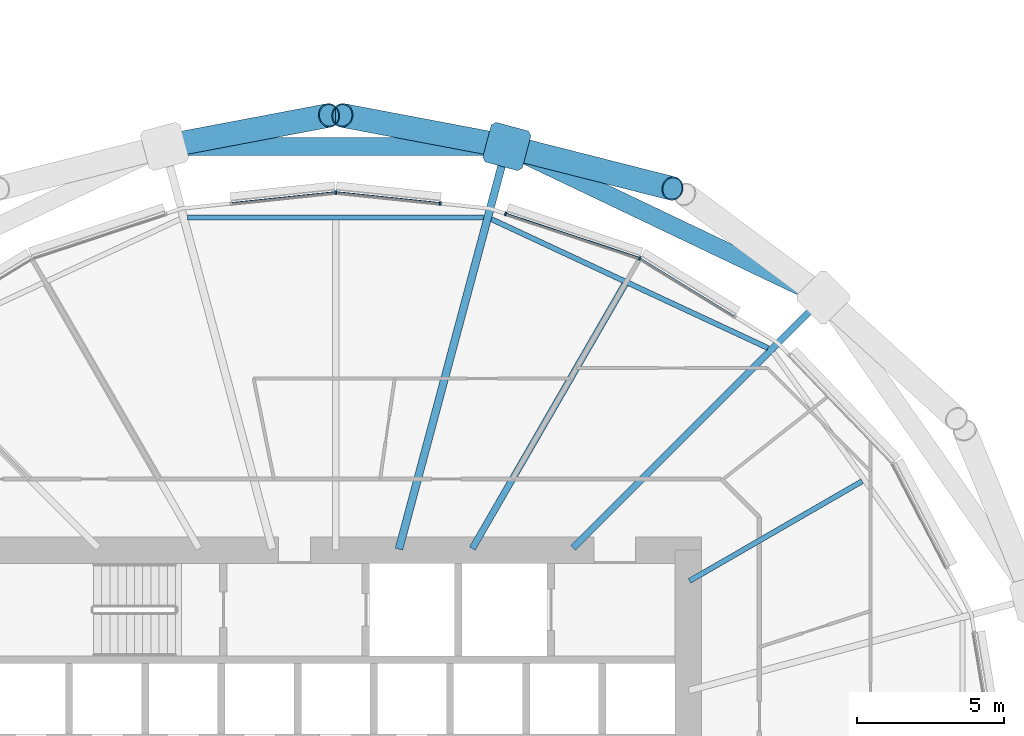
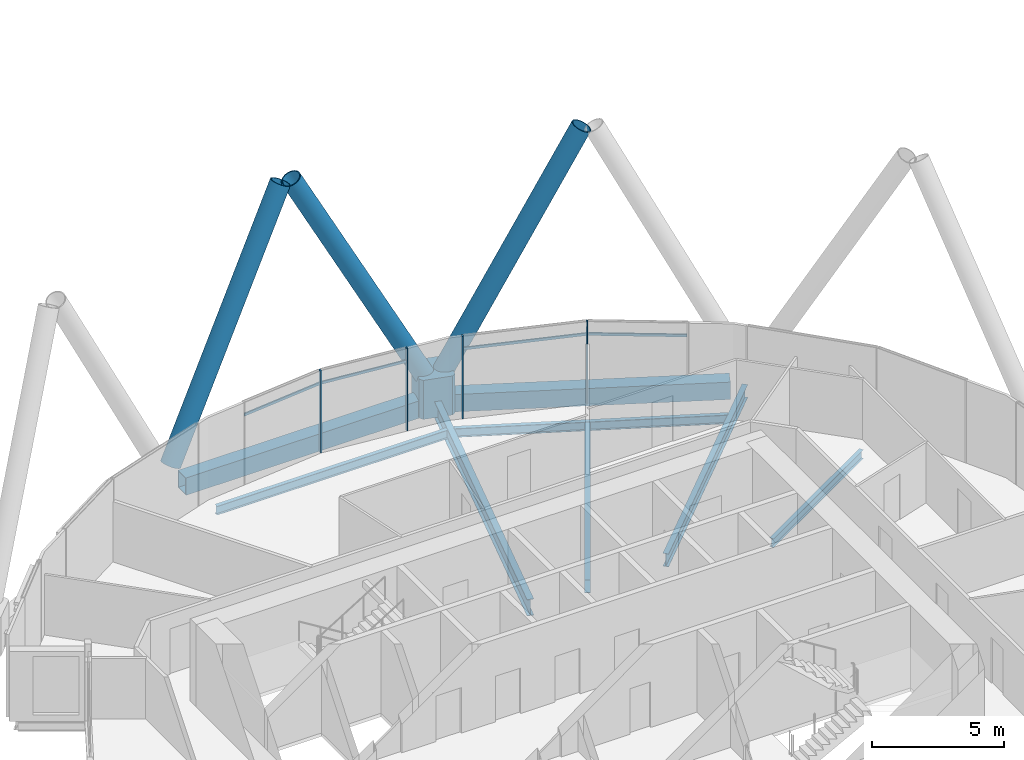
# One storey, part 11 of 34: 12 members, 8 beams, 1 element without a shape of its own.
"""IFC4 building model written with IfcOpenShell, lengths in metres."""

from ifc_helpers import new_model, si_unit, direction, frame, origin, origin_2d, place, context, subcontext, project, spatial, polyline, rectangle, hollow_rectangle, hollow_circle, i_section, outline, extrude, material, material_profile, profile_set, type_object, element, aggregate, save


model = new_model("IFC4")

# Units and contexts
model_context = context("Model", 3, precision=1e-05, world=origin(), true_north=direction((0.0, 1.0)))
body_context = subcontext(model_context, "Body", "Model", "MODEL_VIEW")
ifc_project = project(units=[si_unit("LENGTHUNIT", "METRE"), si_unit("AREAUNIT", "SQUARE_METRE"), si_unit("VOLUMEUNIT", "CUBIC_METRE"), si_unit("PLANEANGLEUNIT", "RADIAN"), si_unit("MASSUNIT", "GRAM", prefix="KILO")], contexts=[model_context])

# Site, building, storey
site_placement = place(None, origin())
site = spatial("IfcSite", under=ifc_project, at=site_placement, CompositionType="ELEMENT")
building_placement = place(site_placement, origin())
building = spatial("IfcBuilding", under=site, at=building_placement, Name="Rimbun Link Towers", CompositionType="ELEMENT")
storey_placement = place(building_placement, frame((0.0, 0.0, 41.39990234375)))
storey = spatial("IfcBuildingStorey", under=building, at=storey_placement, Name="L09", CompositionType="ELEMENT", Elevation=41.39990234375)

# Curtain wall, members
ifc_material_1 = material(Name="Aluminium 6063-T6 and low-iron glass", Category="aluminium")
curtain_wall_type = type_object("IfcCurtainWallType", Name="CW1 unitised vision wall", PredefinedType="NOTDEFINED", material=ifc_material_1)
curtain_wall_placement = place(storey_placement, origin())
curtain_wall = element("IfcCurtainWall", 1, at=curtain_wall_placement, inside=storey, type_object=curtain_wall_type, Name="CW1 L09 T1", PredefinedType="NOTDEFINED")
ifc_material_2 = material(Name="Aluminium 6063-T6", Category="aluminium")
ifc_material_profile_1 = material_profile(ifc_material_2, rectangle(XDim=0.1201171875, YDim=0.06005859375, at=origin_2d()), Name="MULLION 60X120")
ifc_profile_set_1 = profile_set([ifc_material_profile_1], Name="Aluminium 6063-T6")
member_type_1 = type_object("IfcMemberType", Name="CW1 mullion 60X120", PredefinedType="MULLION", material=ifc_profile_set_1)
member_1_placement = place(storey_placement, frame((-21.396240234375, 17.944091796875, 0.0), z_axis=(0.0, 0.0, 1.0), x_axis=(0.421700623213, 0.906735123607, 0.0)))
member_1 = element("IfcMember", 2, at=member_1_placement, type_object=member_type_1, Name="CW1 mullion", PredefinedType="MULLION", context=body_context, shape_type="SweptSolid", body=[
    extrude(rectangle(XDim=0.1201171875, YDim=0.06005859375, at=origin_2d()), origin(), (0.0, 0.0, 1.0), 3.800048828125),
])
member_2_placement = place(storey_placement, frame((-25.964111328125, 19.458251953125, 0.0), z_axis=(0.0, 0.0, 1.0), x_axis=(0.314557949572, 0.949238271648, 0.0)))
member_2 = element("IfcMember", 3, at=member_2_placement, type_object=member_type_1, Name="CW1 mullion", PredefinedType="MULLION", context=body_context, shape_type="SweptSolid", body=[
    extrude(rectangle(XDim=0.1201171875, YDim=0.06005859375, at=origin_2d()), origin(), (0.0, 0.0, 1.0), 3.800048828125),
])
member_3_placement = place(storey_placement, frame((-31.75, 20.1865234375, 0.0), z_axis=(0.0, 0.0, 1.0), x_axis=(0.0, 1.0, 0.0)))
member_3 = element("IfcMember", 4, at=member_3_placement, type_object=member_type_1, Name="CW1 mullion", PredefinedType="MULLION", context=body_context, shape_type="SweptSolid", body=[
    extrude(rectangle(XDim=0.1201171875, YDim=0.06005859375, at=origin_2d()), origin(), (0.0, 0.0, 1.0), 3.800048828125),
])
member_4_placement = place(storey_placement, frame((-28.189453125, 19.81201171875, 0.0), z_axis=(0.0, 0.0, 1.0), x_axis=(0.104742031783, 0.994499425228, 0.0)))
member_4 = element("IfcMember", 5, at=member_4_placement, type_object=member_type_1, Name="CW1 mullion", PredefinedType="MULLION", context=body_context, shape_type="SweptSolid", body=[
    extrude(rectangle(XDim=0.1201171875, YDim=0.06005859375, at=origin_2d()), origin(), (0.0, 0.0, 1.0), 3.800048828125),
])
ifc_material_3 = material(Name="Aluminium 6063-T6", Category="aluminium")
ifc_material_profile_2 = material_profile(ifc_material_3, rectangle(XDim=0.06005859375, YDim=0.1201171875, at=origin_2d()), Name="TRANSOM 60X120")
ifc_profile_set_2 = profile_set([ifc_material_profile_2], Name="Aluminium 6063-T6")
member_type_2 = type_object("IfcMemberType", Name="CW1 transom 60X120", PredefinedType="USERDEFINED", material=ifc_profile_set_2)
member_5_placement = place(storey_placement, frame((-21.365478515625, 17.92333984375, 3.2001953125), z_axis=(0.852173780916, -0.523258871992, 0.0), x_axis=(0.523258871992, 0.852173780916, 0.0)))
member_5 = element("IfcMember", 6, at=member_5_placement, type_object=member_type_2, Name="CW1 transom", ObjectType="TRANSOM", PredefinedType="USERDEFINED", context=body_context, shape_type="SweptSolid", body=[
    extrude(rectangle(XDim=0.06005859375, YDim=0.1201171875, at=origin_2d()), origin(), (0.0, 0.0, 1.0), 3.7373046875),
])
member_6_placement = place(storey_placement, frame((-25.936279296875, 19.44677734375, 3.2001953125), z_axis=(0.94924257517, -0.314544962581, 0.0), x_axis=(0.314544962581, 0.94924257517, 0.0)))
member_6 = element("IfcMember", 7, at=member_6_placement, type_object=member_type_2, Name="CW1 transom", ObjectType="TRANSOM", PredefinedType="USERDEFINED", context=body_context, shape_type="SweptSolid", body=[
    extrude(rectangle(XDim=0.06005859375, YDim=0.1201171875, at=origin_2d()), origin(), (0.0, 0.0, 1.0), 4.74560546875),
])
member_7_placement = place(storey_placement, frame((-31.714111328125, 20.18115234375, 3.2001953125), z_axis=(0.994496312409, -0.104771583004, 0.0), x_axis=(0.104771583004, 0.994496312409, 0.0)))
member_7 = element("IfcMember", 8, at=member_7_placement, type_object=member_type_2, Name="CW1 transom", ObjectType="TRANSOM", PredefinedType="USERDEFINED", context=body_context, shape_type="SweptSolid", body=[
    extrude(rectangle(XDim=0.06005859375, YDim=0.1201171875, at=origin_2d()), origin(), (0.0, 0.0, 1.0), 3.513916015625),
])
member_8_placement = place(storey_placement, frame((-35.280517578125, 19.81298828125, 3.2001953125), z_axis=(0.994496312409, 0.104771583004, 0.0), x_axis=(-0.104771583004, 0.994496312409, 0.0)))
member_8 = element("IfcMember", 9, at=member_8_placement, type_object=member_type_2, Name="CW1 transom", ObjectType="TRANSOM", PredefinedType="USERDEFINED", context=body_context, shape_type="SweptSolid", body=[
    extrude(rectangle(XDim=0.06005859375, YDim=0.1201171875, at=origin_2d()), origin(), (0.0, 0.0, 1.0), 3.513916015625),
])
aggregate(curtain_wall, [member_1, member_2, member_3, member_4, member_5, member_6, member_7, member_8])

# Members
ifc_material_4 = material(Name="Steel S460NH", Category="steel")
ifc_material_profile_3 = material_profile(ifc_material_4, hollow_circle(Radius=0.406494140625, WallThickness=0.0400390625, at=origin_2d()), Name="Diagrid diagonal CHS 813x40")
ifc_profile_set_3 = profile_set([ifc_material_profile_3], Name="Steel S460NH")
member_type_3 = type_object("IfcMemberType", Name="Diagrid diagonal CHS 813x40", PredefinedType="BRACE", material=ifc_profile_set_3)
member_9_placement = place(storey_placement, frame((-25.695556640625, 21.68994140625, 0.441650390625), z_axis=(0.454668087389, -0.115384046346, 0.88315539525), x_axis=(0.245979182383, 0.969275111531, 0.0)))
element("IfcMember", 10, at=member_9_placement, inside=storey, type_object=member_type_3, Name="Diagrid diagonal T1 L09-L12 05a", PredefinedType="BRACE", context=body_context, shape_type="SweptSolid", body=[
    extrude(hollow_circle(Radius=0.406494140625, WallThickness=0.0400390625, at=origin_2d()), origin(), (0.0, 0.0, 1.0), 11.908203125),
])
for number, where, z_axis, x_axis, name in (
    (11, (-26.1494140625, 21.79052734375, 0.443603515625), (-0.453469931665, 0.085704189529, 0.88714137147), (-0.185708785705, -0.982604827442, 0.0), "Diagrid diagonal T1 L09-L12 05b"),
    (12, (-37.3505859375, 21.79052734375, 0.443603515625), (0.453469931665, 0.085704189529, 0.88714137147), (-0.185708785705, 0.982604827442, 0.0), "Diagrid diagonal T1 L09-L12 07a"),
):
    element("IfcMember", number, at=place(storey_placement, frame(where, z_axis=z_axis, x_axis=x_axis)), inside=storey, type_object=member_type_3, Name=name, PredefinedType="BRACE", context=body_context, shape_type="SweptSolid", body=[
        extrude(hollow_circle(Radius=0.406494140625, WallThickness=0.0400390625, at=origin_2d()), origin(), (0.0, 0.0, 1.0), 11.850341796875),
    ])
ifc_material_5 = material(Name="Cast steel G20Mn5+QT, Rp0.2 300 MPa", Category="steel")
ifc_material_profile_4 = material_profile(ifc_material_5, outline(polyline([(0.699951171875, -0.570068359375), (0.699951171875, 0.570068359375), (0.570068359375, 0.699951171875), (-0.570068359375, 0.699951171875), (-0.699951171875, 0.570068359375), (-0.699951171875, -0.570068359375), (-0.570068359375, -0.699951171875), (0.570068359375, -0.699951171875), (0.699951171875, -0.570068359375)])), Name="NODE 1400x1400")
ifc_profile_set_4 = profile_set([ifc_material_profile_4], Name="Cast steel G20Mn5+QT, Rp0.2 300 MPa")
member_type_4 = type_object("IfcMemberType", Name="Diagrid node cast 1400", PredefinedType="USERDEFINED", material=ifc_profile_set_4)
member_10_placement = place(storey_placement, frame((-25.9228515625, 21.74755859375, -0.89990234375), z_axis=(0.0, 0.0, 1.0), x_axis=(0.258819045103, 0.965925826289, 0.0)))
element("IfcMember", 13, at=member_10_placement, inside=storey, type_object=member_type_4, Name="Diagrid node L09 05", ObjectType="Diagrid node", PredefinedType="USERDEFINED", context=body_context, shape_type="SweptSolid", body=[
    extrude(outline(polyline([(0.699951171875, -0.570068359375), (0.699951171875, 0.570068359375), (0.570068359375, 0.699951171875), (-0.570068359375, 0.699951171875), (-0.699951171875, 0.570068359375), (-0.699951171875, -0.570068359375), (-0.570068359375, -0.699951171875), (0.570068359375, -0.699951171875), (0.699951171875, -0.570068359375)])), origin(), (0.0, 0.0, 1.0), 1.800048828125),
])

# Beams
ifc_material_6 = material(Name="Steel S355J2", Category="steel")
ifc_material_profile_5 = material_profile(ifc_material_6, hollow_rectangle(XDim=0.60009765625, YDim=0.800048828125, WallThickness=0.0400390625, at=origin_2d()), Name="Exoskeleton ring girder BOX 600x800x40")
ifc_profile_set_5 = profile_set([ifc_material_profile_5], Name="Steel S355J2")
beam_type_1 = type_object("IfcBeamType", Name="Exoskeleton ring girder BOX 600x800x40", PredefinedType="BEAM", material=ifc_profile_set_5)
beam_1_placement = place(storey_placement, frame((-15.777587890625, 16.90576171875, -0.559814453125), z_axis=(-0.90248901757, 0.430712866265, 0.0), x_axis=(-0.430712866265, -0.90248901757, 0.0)))
element("IfcBeam", 14, at=beam_1_placement, inside=storey, type_object=beam_type_1, Name="Exoskeleton ring girder L09 01", PredefinedType="BEAM", context=body_context, shape_type="SweptSolid", body=[
    extrude(hollow_rectangle(XDim=0.60009765625, YDim=0.800048828125, WallThickness=0.0400390625, at=origin_2d()), origin(), (0.0, 0.0, 1.0), 10.541259765625),
])
beam_2_placement = place(storey_placement, frame((-26.622802734375, 21.74755859375, -0.559814453125), z_axis=(-1.0, 0.0, 0.0), x_axis=(0.0, -1.0, 0.0)))
element("IfcBeam", 15, at=beam_2_placement, inside=storey, type_object=beam_type_1, Name="Exoskeleton ring girder L09 02", PredefinedType="BEAM", context=body_context, shape_type="SweptSolid", body=[
    extrude(hollow_rectangle(XDim=0.60009765625, YDim=0.800048828125, WallThickness=0.0400390625, at=origin_2d()), origin(), (0.0, 0.0, 1.0), 10.25439453125),
])
ifc_material_7 = material(Name="Steel S355J2", Category="steel")
ifc_material_profile_6 = material_profile(ifc_material_7, i_section(OverallWidth=0.177978515625, OverallDepth=0.406494140625, WebThickness=0.0078125, FlangeThickness=0.0126953125, at=origin_2d()), Name="UB 406x178x60")
ifc_profile_set_6 = profile_set([ifc_material_profile_6], Name="Steel S355J2")
beam_type_2 = type_object("IfcBeamType", Name="UB 406x178x60", PredefinedType="BEAM", material=ifc_profile_set_6)
beam_3_placement = place(storey_placement, frame((-19.70458984375, 6.954345703125, -0.363037109375), z_axis=(0.866019088595, 0.50001093807, 0.0), x_axis=(-0.50001093807, 0.866019088595, 0.0)))
element("IfcBeam", 16, at=beam_3_placement, inside=storey, type_object=beam_type_2, Name="Radial beam T1 L09 02", PredefinedType="BEAM", context=body_context, shape_type="SweptSolid", body=[
    extrude(i_section(OverallWidth=0.177978515625, OverallDepth=0.406494140625, WebThickness=0.0078125, FlangeThickness=0.0126953125, at=origin_2d()), origin(), (0.0, 0.0, 1.0), 6.788330078125),
])
beam_4_placement = place(storey_placement, frame((-17.029296875, 14.883056640625, -0.363037109375), z_axis=(-0.906396127139, 0.422428764062, 0.0), x_axis=(-0.422428764062, -0.906396127139, 0.0)))
element("IfcBeam", 17, at=beam_4_placement, inside=storey, type_object=beam_type_2, Name="Edge beam T1 L09 03-05", PredefinedType="BEAM", context=body_context, shape_type="SweptSolid", body=[
    extrude(i_section(OverallWidth=0.177978515625, OverallDepth=0.406494140625, WebThickness=0.0078125, FlangeThickness=0.0126953125, at=origin_2d()), origin(), (0.0, 0.0, 1.0), 10.390380859375),
])
beam_5_placement = place(storey_placement, frame((-26.709716796875, 19.32958984375, -0.363037109375), z_axis=(-1.0, 0.0, 0.0), x_axis=(0.0, -1.0, 0.0)))
element("IfcBeam", 18, at=beam_5_placement, inside=storey, type_object=beam_type_2, Name="Edge beam T1 L09 05-07", PredefinedType="BEAM", context=body_context, shape_type="SweptSolid", body=[
    extrude(i_section(OverallWidth=0.177978515625, OverallDepth=0.406494140625, WebThickness=0.0078125, FlangeThickness=0.0126953125, at=origin_2d()), origin(), (0.0, 0.0, 1.0), 10.08056640625),
])
ifc_material_8 = material(Name="Steel S355J2", Category="steel")
ifc_material_profile_7 = material_profile(ifc_material_8, i_section(OverallWidth=0.2275390625, OverallDepth=0.6025390625, WebThickness=0.010498046875, FlangeThickness=0.014892578125, at=origin_2d()), Name="UB 610x229x101")
ifc_profile_set_7 = profile_set([ifc_material_profile_7], Name="Steel S355J2")
beam_type_3 = type_object("IfcBeamType", Name="UB 610x229x101", PredefinedType="BEAM", material=ifc_profile_set_7)
beam_6_placement = place(storey_placement, frame((-23.668701171875, 8.081298828125, -0.461181640625), z_axis=(0.707106781187, 0.707106781187, 0.0), x_axis=(-0.707106781187, 0.707106781187, 0.0)))
element("IfcBeam", 19, at=beam_6_placement, inside=storey, type_object=beam_type_3, Name="Radial beam T1 L09 03", PredefinedType="BEAM", context=body_context, shape_type="SweptSolid", body=[
    extrude(i_section(OverallWidth=0.2275390625, OverallDepth=0.6025390625, WebThickness=0.010498046875, FlangeThickness=0.014892578125, at=origin_2d()), origin(), (0.0, 0.0, 1.0), 11.552978515625),
])
beam_7_placement = place(storey_placement, frame((-27.097900390625, 8.057861328125, -0.461181640625), z_axis=(0.499998423118, 0.866026314196, 0.0), x_axis=(-0.866026314196, 0.499998423118, 0.0)))
element("IfcBeam", 20, at=beam_7_placement, inside=storey, type_object=beam_type_3, Name="Radial beam T1 L09 04", PredefinedType="BEAM", context=body_context, shape_type="SweptSolid", body=[
    extrude(i_section(OverallWidth=0.2275390625, OverallDepth=0.6025390625, WebThickness=0.010498046875, FlangeThickness=0.014892578125, at=origin_2d()), origin(), (0.0, 0.0, 1.0), 10.38916015625),
])
ifc_material_9 = material(Name="Steel S355J2", Category="steel")
ifc_material_profile_8 = material_profile(ifc_material_9, i_section(OverallWidth=0.2666015625, OverallDepth=0.76220703125, WebThickness=0.014404296875, FlangeThickness=0.021484375, at=origin_2d()), Name="UB 762x267x173")
ifc_profile_set_8 = profile_set([ifc_material_profile_8], Name="Steel S355J2")
beam_type_4 = type_object("IfcBeamType", Name="UB 762x267x173", PredefinedType="BEAM", material=ifc_profile_set_8)
beam_8_placement = place(storey_placement, frame((-29.596923828125, 8.035400390625, -0.541015625), z_axis=(0.258813009611, 0.965927443474, 0.0), x_axis=(-0.965927443474, 0.258813009611, 0.0)))
element("IfcBeam", 21, at=beam_8_placement, inside=storey, type_object=beam_type_4, Name="Radial beam T1 L09 05", PredefinedType="BEAM", context=body_context, shape_type="SweptSolid", body=[
    extrude(i_section(OverallWidth=0.2666015625, OverallDepth=0.76220703125, WebThickness=0.014404296875, FlangeThickness=0.021484375, at=origin_2d()), origin(), (0.0, 0.0, 1.0), 13.69580078125),
])

save(model, "model.ifc")
